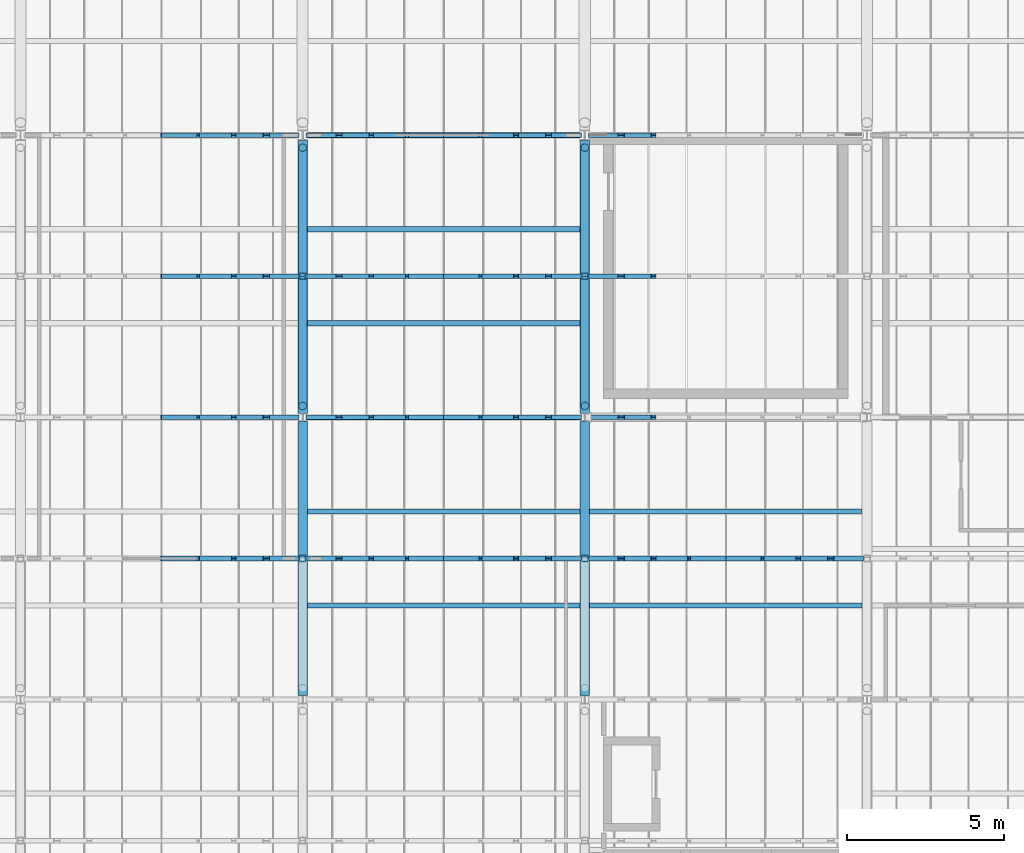
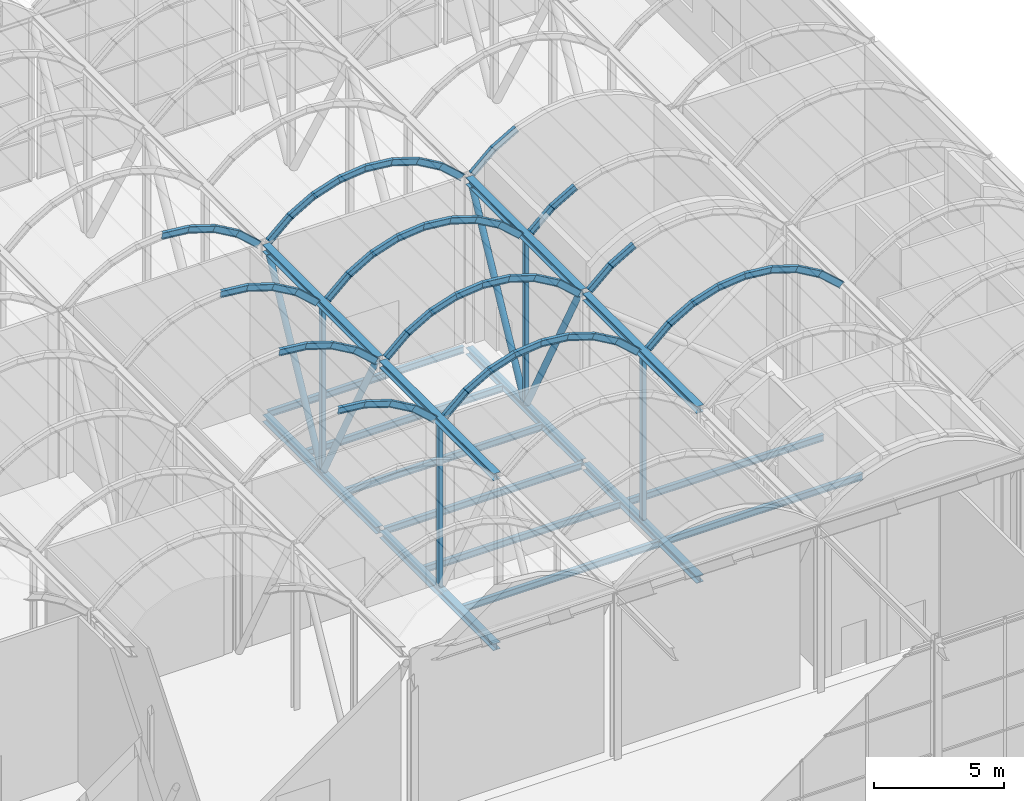
# One storey, part 100 of 144: 70 members, 16 beams.
"""IFC4 building model written with IfcOpenShell, lengths in metres."""

from ifc_helpers import new_model, si_unit, direction, frame, origin, origin_2d, place, context, subcontext, project, spatial, hollow_rectangle, hollow_circle, i_section, extrude, material, material_profile, profile_set, type_object, element, save


model = new_model("IFC4")

# Units and contexts
model_context = context("Model", 3, precision=1e-05, world=origin(), true_north=direction((0.0, 1.0)))
body_context = subcontext(model_context, "Body", "Model", "MODEL_VIEW")
ifc_project = project(units=[si_unit("LENGTHUNIT", "METRE"), si_unit("AREAUNIT", "SQUARE_METRE"), si_unit("VOLUMEUNIT", "CUBIC_METRE"), si_unit("PLANEANGLEUNIT", "RADIAN"), si_unit("MASSUNIT", "GRAM", prefix="KILO")], contexts=[model_context])

# Site, building, storey
site_placement = place(None, origin())
site = spatial("IfcSite", under=ifc_project, at=site_placement, CompositionType="ELEMENT")
building_placement = place(site_placement, origin())
building = spatial("IfcBuilding", under=site, at=building_placement, Name="Shorebreak Coast Museum", CompositionType="ELEMENT")
storey_placement = place(building_placement, frame((0.0, 0.0, 36.0)))
storey = spatial("IfcBuildingStorey", under=building, at=storey_placement, Name="L06", CompositionType="ELEMENT", Elevation=36.0)

# Beams
ifc_material_1 = material(Name="Steel Grade 300", Category="steel")
ifc_material_profile_1 = material_profile(ifc_material_1, i_section(OverallWidth=0.166015625, OverallDepth=0.30712890625, WebThickness=0.006591796875, FlangeThickness=0.01171875, FilletRadius=0.011474609375, at=origin_2d()), Name="310UB46.2")
ifc_profile_set_1 = profile_set([ifc_material_profile_1], Name="Steel Grade 300")
beam_type_1 = type_object("IfcBeamType", Name="Floor girder east-west 310UB46.2", PredefinedType="BEAM", material=ifc_profile_set_1)
beam_1_placement = place(storey_placement, frame((90.126953125, 108.0, -0.32861328125), z_axis=(1.0, 0.0, 0.0), x_axis=(0.0, 1.0, 0.0)))
element("IfcBeam", 1, at=beam_1_placement, inside=storey, type_object=beam_type_1, Name="Floor girder east-west L06 11N", PredefinedType="BEAM", context=body_context, shape_type="SweptSolid", body=[
    extrude(i_section(OverallWidth=0.166015625, OverallDepth=0.30712890625, WebThickness=0.006591796875, FlangeThickness=0.01171875, FilletRadius=0.011474609375, at=origin_2d()), origin(), (0.0, 0.0, 1.0), 8.74609375),
])
beam_2_placement = place(storey_placement, frame((90.155517578125, 117.0, -0.32861328125), z_axis=(1.0, 0.0, 0.0), x_axis=(0.0, 1.0, 0.0)))
element("IfcBeam", 2, at=beam_2_placement, inside=storey, type_object=beam_type_1, Name="Floor girder east-west L06 11P", PredefinedType="BEAM", context=body_context, shape_type="SweptSolid", body=[
    extrude(i_section(OverallWidth=0.166015625, OverallDepth=0.30712890625, WebThickness=0.006591796875, FlangeThickness=0.01171875, FilletRadius=0.011474609375, at=origin_2d()), origin(), (0.0, 0.0, 1.0), 8.68896484375),
])
ifc_material_2 = material(Name="Steel Grade 300", Category="steel")
ifc_material_profile_2 = material_profile(ifc_material_2, i_section(OverallWidth=0.1650390625, OverallDepth=0.303955078125, WebThickness=0.006103515625, FlangeThickness=0.01025390625, FilletRadius=0.011474609375, at=origin_2d()), Name="310UB40.4")
ifc_profile_set_2 = profile_set([ifc_material_profile_2], Name="Steel Grade 300")
beam_type_2 = type_object("IfcBeamType", Name="Floor joist 310UB40.4", PredefinedType="JOIST", material=ifc_profile_set_2)
for number, where, z_axis, x_axis, name in (
    (3, (90.155517578125, 102.0, -0.326904296875), (1.0, 0.0, 0.0), (0.0, 1.0, 0.0), "Floor joist L06 bay 11M at 3000 mm"),
    (4, (90.155517578125, 105.0, -0.326904296875), (1.0, 0.0, 0.0), (0.0, 1.0, 0.0), "Floor joist L06 bay 11M at 6000 mm"),
    (5, (99.155517578125, 102.0, -0.326904296875), (1.0, 0.0, 0.0), (0.0, 1.0, 0.0), "Floor joist L06 bay 12M at 3000 mm"),
    (6, (99.155517578125, 105.0, -0.326904296875), (1.0, 0.0, 0.0), (0.0, 1.0, 0.0), "Floor joist L06 bay 12M at 6000 mm"),
    (7, (90.155517578125, 111.0, -0.326904296875), (1.0, 0.0, 0.0), (0.0, 1.0, 0.0), "Floor joist L06 bay 11N at 3000 mm"),
    (8, (90.155517578125, 114.0, -0.326904296875), (1.0, 0.0, 0.0), (0.0, 1.0, 0.0), "Floor joist L06 bay 11N at 6000 mm"),
):
    element("IfcBeam", number, at=place(storey_placement, frame(where, z_axis=z_axis, x_axis=x_axis)), inside=storey, type_object=beam_type_2, Name=name, PredefinedType="JOIST", context=body_context, shape_type="SweptSolid", body=[
        extrude(i_section(OverallWidth=0.1650390625, OverallDepth=0.303955078125, WebThickness=0.006103515625, FlangeThickness=0.01025390625, FilletRadius=0.011474609375, at=origin_2d()), origin(), (0.0, 0.0, 1.0), 8.68896484375),
    ])
ifc_material_3 = material(Name="Steel Grade 300", Category="steel")
ifc_material_profile_3 = material_profile(ifc_material_3, i_section(OverallWidth=0.30908203125, OverallDepth=0.320556640625, WebThickness=0.013916015625, FlangeThickness=0.021728515625, FilletRadius=0.0166015625, at=origin_2d()), Name="310UC137")
ifc_profile_set_3 = profile_set([ifc_material_profile_3], Name="Steel Grade 300")
beam_type_3 = type_object("IfcBeamType", Name="Transfer truss chord 310UC137", PredefinedType="BEAM", material=ifc_profile_set_3)
beam_3_placement = place(storey_placement, frame((90.0, 99.126953125, -0.335205078125), z_axis=(0.0, 1.0, 0.0), x_axis=(-1.0, 0.0, 0.0)))
element("IfcBeam", 9, at=beam_3_placement, inside=storey, type_object=beam_type_3, Name="Transfer truss TR5 chord C06", PredefinedType="BEAM", context=body_context, shape_type="SweptSolid", body=[
    extrude(i_section(OverallWidth=0.30908203125, OverallDepth=0.320556640625, WebThickness=0.013916015625, FlangeThickness=0.021728515625, FilletRadius=0.0166015625, at=origin_2d()), origin(), (0.0, 0.0, 1.0), 8.74609375),
])
beam_4_placement = place(storey_placement, frame((90.0, 108.126953125, -0.335205078125), z_axis=(0.0, 1.0, 0.0), x_axis=(-1.0, 0.0, 0.0)))
element("IfcBeam", 10, at=beam_4_placement, inside=storey, type_object=beam_type_3, Name="Transfer truss TR5 chord C07", PredefinedType="BEAM", context=body_context, shape_type="SweptSolid", body=[
    extrude(i_section(OverallWidth=0.30908203125, OverallDepth=0.320556640625, WebThickness=0.013916015625, FlangeThickness=0.021728515625, FilletRadius=0.0166015625, at=origin_2d()), origin(), (0.0, 0.0, 1.0), 8.70947265625),
])
beam_5_placement = place(storey_placement, frame((99.0, 99.126953125, -0.335205078125), z_axis=(0.0, 1.0, 0.0), x_axis=(-1.0, 0.0, 0.0)))
element("IfcBeam", 11, at=beam_5_placement, inside=storey, type_object=beam_type_3, Name="Transfer truss TR6 chord C06", PredefinedType="BEAM", context=body_context, shape_type="SweptSolid", body=[
    extrude(i_section(OverallWidth=0.30908203125, OverallDepth=0.320556640625, WebThickness=0.013916015625, FlangeThickness=0.021728515625, FilletRadius=0.0166015625, at=origin_2d()), origin(), (0.0, 0.0, 1.0), 8.74609375),
])
beam_6_placement = place(storey_placement, frame((99.0, 108.126953125, -0.335205078125), z_axis=(0.0, 1.0, 0.0), x_axis=(-1.0, 0.0, 0.0)))
element("IfcBeam", 12, at=beam_6_placement, inside=storey, type_object=beam_type_3, Name="Transfer truss TR6 chord C07", PredefinedType="BEAM", context=body_context, shape_type="SweptSolid", body=[
    extrude(i_section(OverallWidth=0.30908203125, OverallDepth=0.320556640625, WebThickness=0.013916015625, FlangeThickness=0.021728515625, FilletRadius=0.0166015625, at=origin_2d()), origin(), (0.0, 0.0, 1.0), 8.70947265625),
])
ifc_material_4 = material(Name="Steel Grade 300", Category="steel")
ifc_material_profile_4 = material_profile(ifc_material_4, i_section(OverallWidth=0.31103515625, OverallDepth=0.3271484375, WebThickness=0.015625, FlangeThickness=0.02490234375, FilletRadius=0.0166015625, at=origin_2d()), Name="310UC158")
ifc_profile_set_4 = profile_set([ifc_material_profile_4], Name="Steel Grade 300")
beam_type_4 = type_object("IfcBeamType", Name="Transfer truss chord 310UC158", PredefinedType="BEAM", material=ifc_profile_set_4)
beam_7_placement = place(storey_placement, frame((90.0, 99.126953125, 7.621337890625), z_axis=(0.0, 1.0, 0.0), x_axis=(-1.0, 0.0, 0.0)))
element("IfcBeam", 13, at=beam_7_placement, inside=storey, type_object=beam_type_4, Name="Transfer truss TR5 chord C10", PredefinedType="BEAM", context=body_context, shape_type="SweptSolid", body=[
    extrude(i_section(OverallWidth=0.31103515625, OverallDepth=0.3271484375, WebThickness=0.015625, FlangeThickness=0.02490234375, FilletRadius=0.0166015625, at=origin_2d()), origin(), (0.0, 0.0, 1.0), 8.74609375),
])
beam_8_placement = place(storey_placement, frame((90.0, 108.126953125, 7.621337890625), z_axis=(0.0, 1.0, 0.0), x_axis=(-1.0, 0.0, 0.0)))
element("IfcBeam", 14, at=beam_8_placement, inside=storey, type_object=beam_type_4, Name="Transfer truss TR5 chord C11", PredefinedType="BEAM", context=body_context, shape_type="SweptSolid", body=[
    extrude(i_section(OverallWidth=0.31103515625, OverallDepth=0.3271484375, WebThickness=0.015625, FlangeThickness=0.02490234375, FilletRadius=0.0166015625, at=origin_2d()), origin(), (0.0, 0.0, 1.0), 8.70947265625),
])
beam_9_placement = place(storey_placement, frame((99.0, 99.126953125, 7.621337890625), z_axis=(0.0, 1.0, 0.0), x_axis=(-1.0, 0.0, 0.0)))
element("IfcBeam", 15, at=beam_9_placement, inside=storey, type_object=beam_type_4, Name="Transfer truss TR6 chord C10", PredefinedType="BEAM", context=body_context, shape_type="SweptSolid", body=[
    extrude(i_section(OverallWidth=0.31103515625, OverallDepth=0.3271484375, WebThickness=0.015625, FlangeThickness=0.02490234375, FilletRadius=0.0166015625, at=origin_2d()), origin(), (0.0, 0.0, 1.0), 8.74609375),
])
beam_10_placement = place(storey_placement, frame((99.0, 108.126953125, 7.621337890625), z_axis=(0.0, 1.0, 0.0), x_axis=(-1.0, 0.0, 0.0)))
element("IfcBeam", 16, at=beam_10_placement, inside=storey, type_object=beam_type_4, Name="Transfer truss TR6 chord C11", PredefinedType="BEAM", context=body_context, shape_type="SweptSolid", body=[
    extrude(i_section(OverallWidth=0.31103515625, OverallDepth=0.3271484375, WebThickness=0.015625, FlangeThickness=0.02490234375, FilletRadius=0.0166015625, at=origin_2d()), origin(), (0.0, 0.0, 1.0), 8.70947265625),
])

# Members
ifc_material_5 = material(Name="Steel Grade C350L0", Category="steel")
ifc_material_profile_5 = material_profile(ifc_material_5, hollow_circle(Radius=0.136474609375, WallThickness=0.00927734375, at=origin_2d()), Name="273.1x9.3 CHS")
ifc_profile_set_5 = profile_set([ifc_material_profile_5], Name="Steel Grade C350L0")
member_type_1 = type_object("IfcMemberType", Name="Transfer truss diagonal 273.1x9.3 CHS", PredefinedType="BRACE", material=ifc_profile_set_5)
member_1_placement = place(storey_placement, frame((90.0, 112.414794921875, -0.175048828125), z_axis=(0.0, -0.468802638879, 0.883302941114), x_axis=(1.0, 0.0, 0.0)))
element("IfcMember", 17, at=member_1_placement, inside=storey, type_object=member_type_1, Name="Transfer truss TR5 diagonal D13", PredefinedType="BRACE", context=body_context, shape_type="SweptSolid", body=[
    extrude(hollow_circle(Radius=0.136474609375, WallThickness=0.00927734375, at=origin_2d()), origin(), (0.0, 0.0, 1.0), 8.64111328125),
])
member_2_placement = place(storey_placement, frame((90.0, 112.584228515625, -0.175048828125), z_axis=(0.0, 0.465641431585, 0.884973478242), x_axis=(-1.0, 0.0, 0.0)))
element("IfcMember", 18, at=member_2_placement, inside=storey, type_object=member_type_1, Name="Transfer truss TR5 diagonal D14", PredefinedType="BRACE", context=body_context, shape_type="SweptSolid", body=[
    extrude(hollow_circle(Radius=0.136474609375, WallThickness=0.00927734375, at=origin_2d()), origin(), (0.0, 0.0, 1.0), 8.625),
])
member_3_placement = place(storey_placement, frame((99.0, 112.414794921875, -0.175048828125), z_axis=(0.0, -0.468802638879, 0.883302941114), x_axis=(1.0, 0.0, 0.0)))
element("IfcMember", 19, at=member_3_placement, inside=storey, type_object=member_type_1, Name="Transfer truss TR6 diagonal D13", PredefinedType="BRACE", context=body_context, shape_type="SweptSolid", body=[
    extrude(hollow_circle(Radius=0.136474609375, WallThickness=0.00927734375, at=origin_2d()), origin(), (0.0, 0.0, 1.0), 8.64111328125),
])
member_4_placement = place(storey_placement, frame((99.0, 112.584228515625, -0.175048828125), z_axis=(0.0, 0.465641431585, 0.884973478242), x_axis=(-1.0, 0.0, 0.0)))
element("IfcMember", 20, at=member_4_placement, inside=storey, type_object=member_type_1, Name="Transfer truss TR6 diagonal D14", PredefinedType="BRACE", context=body_context, shape_type="SweptSolid", body=[
    extrude(hollow_circle(Radius=0.136474609375, WallThickness=0.00927734375, at=origin_2d()), origin(), (0.0, 0.0, 1.0), 8.625),
])
ifc_material_6 = material(Name="Steel Grade C450L0", Category="steel")
ifc_material_profile_6 = material_profile(ifc_material_6, hollow_rectangle(XDim=0.199951171875, YDim=0.199951171875, WallThickness=0.009033203125, InnerFilletRadius=0.013427734375, OuterFilletRadius=0.0224609375, at=origin_2d()), Name="200x200x9.0 SHS")
ifc_profile_set_6 = profile_set([ifc_material_profile_6], Name="Steel Grade C450L0")
member_type_2 = type_object("IfcMemberType", Name="Transfer truss strut 200x200x9.0 SHS", PredefinedType="STRUT", material=ifc_profile_set_6)
for number, where, z_axis, x_axis, name in (
    (21, (90.0, 103.5, -0.175048828125), (0.0, 0.0, 1.0), (1.0, 0.0, 0.0), "Transfer truss TR5 strut V09"),
    (22, (90.0, 112.5, -0.175048828125), (0.0, 0.0, 1.0), (1.0, 0.0, 0.0), "Transfer truss TR5 strut V10"),
    (23, (99.0, 103.5, -0.175048828125), (0.0, 0.0, 1.0), (1.0, 0.0, 0.0), "Transfer truss TR6 strut V09"),
    (24, (99.0, 112.5, -0.175048828125), (0.0, 0.0, 1.0), (1.0, 0.0, 0.0), "Transfer truss TR6 strut V10"),
):
    element("IfcMember", number, at=place(storey_placement, frame(where, z_axis=z_axis, x_axis=x_axis)), inside=storey, type_object=member_type_2, Name=name, PredefinedType="STRUT", context=body_context, shape_type="SweptSolid", body=[
        extrude(hollow_rectangle(XDim=0.199951171875, YDim=0.199951171875, WallThickness=0.009033203125, InnerFilletRadius=0.013427734375, OuterFilletRadius=0.0224609375, at=origin_2d()), origin(), (0.0, 0.0, 1.0), 7.6328125),
    ])
ifc_material_7 = material(Name="Steel Grade 300", Category="steel")
ifc_material_profile_7 = material_profile(ifc_material_7, i_section(OverallWidth=0.14892578125, OverallDepth=0.298095703125, WebThickness=0.005615234375, FlangeThickness=0.008056640625, FilletRadius=0.012939453125, at=origin_2d()), Name="310UB32.0")
ifc_profile_set_7 = profile_set([ifc_material_profile_7], Name="Steel Grade 300")
member_type_3 = type_object("IfcMemberType", Name="Vault arch rib 310UB32.0", PredefinedType="RAFTER", material=ifc_profile_set_7)
for number, where, z_axis, x_axis, name in (
    (25, (85.484375, 103.5, 9.650634765625), (0.994539296345, 0.0, -0.104362771266), (0.0, 1.0, 0.0), "Vault arch rib V4 line 03 facet 5"),
    (26, (85.484375, 108.0, 9.650634765625), (0.994539296345, 0.0, -0.104362771266), (0.0, 1.0, 0.0), "Vault arch rib V4 line 04 facet 5"),
    (27, (85.484375, 112.5, 9.650634765625), (0.994539296345, 0.0, -0.104362771266), (0.0, 1.0, 0.0), "Vault arch rib V4 line 05 facet 5"),
    (28, (85.484375, 117.0, 9.650634765625), (0.994539296345, 0.0, -0.104362771266), (0.0, 1.0, 0.0), "Vault arch rib V4 line 06 facet 5"),
    (29, (86.6708984375, 103.5, 9.529541015625), (0.951225984169, 0.0, -0.308494938436), (0.0, 1.0, 0.0), "Vault arch rib V4 line 03 facet 6"),
    (30, (86.6708984375, 108.0, 9.529541015625), (0.951225984169, 0.0, -0.308494938436), (0.0, 1.0, 0.0), "Vault arch rib V4 line 04 facet 6"),
    (31, (86.6708984375, 112.5, 9.529541015625), (0.951225984169, 0.0, -0.308494938436), (0.0, 1.0, 0.0), "Vault arch rib V4 line 05 facet 6"),
    (32, (86.6708984375, 117.0, 9.529541015625), (0.951225984169, 0.0, -0.308494938436), (0.0, 1.0, 0.0), "Vault arch rib V4 line 06 facet 6"),
    (33, (87.80615234375, 103.5, 9.16455078125), (0.866444596228, 0.0, -0.499273233478), (0.0, 1.0, 0.0), "Vault arch rib V4 line 03 facet 7"),
    (34, (87.80615234375, 108.0, 9.16455078125), (0.866444596228, 0.0, -0.499273233478), (0.0, 1.0, 0.0), "Vault arch rib V4 line 04 facet 7"),
    (35, (87.80615234375, 112.5, 9.16455078125), (0.866444596228, 0.0, -0.499273233478), (0.0, 1.0, 0.0), "Vault arch rib V4 line 05 facet 7"),
    (36, (87.80615234375, 117.0, 9.16455078125), (0.866444596228, 0.0, -0.499273233478), (0.0, 1.0, 0.0), "Vault arch rib V4 line 06 facet 7"),
):
    element("IfcMember", number, at=place(storey_placement, frame(where, z_axis=z_axis, x_axis=x_axis)), inside=storey, type_object=member_type_3, Name=name, PredefinedType="RAFTER", context=body_context, shape_type="SweptSolid", body=[
        extrude(i_section(OverallWidth=0.14892578125, OverallDepth=0.298095703125, WebThickness=0.005615234375, FlangeThickness=0.008056640625, FilletRadius=0.012939453125, at=origin_2d()), origin(), (0.0, 0.0, 1.0), 1.223388671875),
    ])
for number, where, z_axis, x_axis, name in (
    (37, (88.841064453125, 103.5, 8.572021484375), (0.743894909598, 0.0, -0.668296613394), (0.0, 1.0, 0.0), "Vault arch rib V4 line 03 facet 8"),
    (38, (88.841064453125, 108.0, 8.572021484375), (0.743894909598, 0.0, -0.668296613394), (0.0, 1.0, 0.0), "Vault arch rib V4 line 04 facet 8"),
    (39, (88.841064453125, 112.5, 8.572021484375), (0.743894909598, 0.0, -0.668296613394), (0.0, 1.0, 0.0), "Vault arch rib V4 line 05 facet 8"),
    (40, (88.841064453125, 117.0, 8.572021484375), (0.743894909598, 0.0, -0.668296613394), (0.0, 1.0, 0.0), "Vault arch rib V4 line 06 facet 8"),
    (41, (90.21240234375, 103.5, 7.7216796875), (0.743894909598, 0.0, 0.668296613394), (0.0, 1.0, 0.0), "Vault arch rib V5 line 03 facet 1"),
    (42, (90.21240234375, 108.0, 7.7216796875), (0.743894909598, 0.0, 0.668296613394), (0.0, 1.0, 0.0), "Vault arch rib V5 line 04 facet 1"),
    (43, (90.21240234375, 112.5, 7.7216796875), (0.743894909598, 0.0, 0.668296613394), (0.0, 1.0, 0.0), "Vault arch rib V5 line 05 facet 1"),
    (44, (90.21240234375, 117.0, 7.7216796875), (0.743894909598, 0.0, 0.668296613394), (0.0, 1.0, 0.0), "Vault arch rib V5 line 06 facet 1"),
):
    element("IfcMember", number, at=place(storey_placement, frame(where, z_axis=z_axis, x_axis=x_axis)), inside=storey, type_object=member_type_3, Name=name, PredefinedType="RAFTER", context=body_context, shape_type="SweptSolid", body=[
        extrude(i_section(OverallWidth=0.14892578125, OverallDepth=0.298095703125, WebThickness=0.005615234375, FlangeThickness=0.008056640625, FilletRadius=0.012939453125, at=origin_2d()), origin(), (0.0, 0.0, 1.0), 1.2724609375),
    ])
for number, where, z_axis, x_axis, name in (
    (45, (91.1337890625, 103.5, 8.5537109375), (0.866444596228, 0.0, 0.499273233478), (0.0, 1.0, 0.0), "Vault arch rib V5 line 03 facet 2"),
    (46, (91.1337890625, 108.0, 8.5537109375), (0.866444596228, 0.0, 0.499273233478), (0.0, 1.0, 0.0), "Vault arch rib V5 line 04 facet 2"),
    (47, (91.1337890625, 112.5, 8.5537109375), (0.866444596228, 0.0, 0.499273233478), (0.0, 1.0, 0.0), "Vault arch rib V5 line 05 facet 2"),
    (48, (91.1337890625, 117.0, 8.5537109375), (0.866444596228, 0.0, 0.499273233478), (0.0, 1.0, 0.0), "Vault arch rib V5 line 06 facet 2"),
    (49, (92.165283203125, 103.5, 9.152099609375), (0.951225984169, 0.0, 0.308494938436), (0.0, 1.0, 0.0), "Vault arch rib V5 line 03 facet 3"),
    (50, (92.165283203125, 108.0, 9.152099609375), (0.951225984169, 0.0, 0.308494938436), (0.0, 1.0, 0.0), "Vault arch rib V5 line 04 facet 3"),
    (51, (92.165283203125, 112.5, 9.152099609375), (0.951225984169, 0.0, 0.308494938436), (0.0, 1.0, 0.0), "Vault arch rib V5 line 05 facet 3"),
    (52, (92.165283203125, 117.0, 9.152099609375), (0.951225984169, 0.0, 0.308494938436), (0.0, 1.0, 0.0), "Vault arch rib V5 line 06 facet 3"),
    (53, (93.298828125, 103.5, 9.52294921875), (0.994539296345, 0.0, 0.104362771266), (0.0, 1.0, 0.0), "Vault arch rib V5 line 03 facet 4"),
    (54, (93.298828125, 108.0, 9.52294921875), (0.994539296345, 0.0, 0.104362771266), (0.0, 1.0, 0.0), "Vault arch rib V5 line 04 facet 4"),
    (55, (93.298828125, 112.5, 9.52294921875), (0.994539296345, 0.0, 0.104362771266), (0.0, 1.0, 0.0), "Vault arch rib V5 line 05 facet 4"),
    (56, (93.298828125, 117.0, 9.52294921875), (0.994539296345, 0.0, 0.104362771266), (0.0, 1.0, 0.0), "Vault arch rib V5 line 06 facet 4"),
    (57, (94.484375, 103.5, 9.650634765625), (0.994539296345, 0.0, -0.104362771266), (0.0, 1.0, 0.0), "Vault arch rib V5 line 03 facet 5"),
    (58, (94.484375, 108.0, 9.650634765625), (0.994539296345, 0.0, -0.104362771266), (0.0, 1.0, 0.0), "Vault arch rib V5 line 04 facet 5"),
    (59, (94.484375, 112.5, 9.650634765625), (0.994539296345, 0.0, -0.104362771266), (0.0, 1.0, 0.0), "Vault arch rib V5 line 05 facet 5"),
    (60, (94.484375, 117.0, 9.650634765625), (0.994539296345, 0.0, -0.104362771266), (0.0, 1.0, 0.0), "Vault arch rib V5 line 06 facet 5"),
    (61, (95.6708984375, 103.5, 9.529541015625), (0.951225984169, 0.0, -0.308494938436), (0.0, 1.0, 0.0), "Vault arch rib V5 line 03 facet 6"),
    (62, (95.6708984375, 108.0, 9.529541015625), (0.951225984169, 0.0, -0.308494938436), (0.0, 1.0, 0.0), "Vault arch rib V5 line 04 facet 6"),
    (63, (95.6708984375, 112.5, 9.529541015625), (0.951225984169, 0.0, -0.308494938436), (0.0, 1.0, 0.0), "Vault arch rib V5 line 05 facet 6"),
    (64, (95.6708984375, 117.0, 9.529541015625), (0.951225984169, 0.0, -0.308494938436), (0.0, 1.0, 0.0), "Vault arch rib V5 line 06 facet 6"),
    (65, (96.80615234375, 103.5, 9.16455078125), (0.866444596228, 0.0, -0.499273233478), (0.0, 1.0, 0.0), "Vault arch rib V5 line 03 facet 7"),
    (66, (96.80615234375, 108.0, 9.16455078125), (0.866444596228, 0.0, -0.499273233478), (0.0, 1.0, 0.0), "Vault arch rib V5 line 04 facet 7"),
    (67, (96.80615234375, 112.5, 9.16455078125), (0.866444596228, 0.0, -0.499273233478), (0.0, 1.0, 0.0), "Vault arch rib V5 line 05 facet 7"),
    (68, (96.80615234375, 117.0, 9.16455078125), (0.866444596228, 0.0, -0.499273233478), (0.0, 1.0, 0.0), "Vault arch rib V5 line 06 facet 7"),
):
    element("IfcMember", number, at=place(storey_placement, frame(where, z_axis=z_axis, x_axis=x_axis)), inside=storey, type_object=member_type_3, Name=name, PredefinedType="RAFTER", context=body_context, shape_type="SweptSolid", body=[
        extrude(i_section(OverallWidth=0.14892578125, OverallDepth=0.298095703125, WebThickness=0.005615234375, FlangeThickness=0.008056640625, FilletRadius=0.012939453125, at=origin_2d()), origin(), (0.0, 0.0, 1.0), 1.223388671875),
    ])
for number, where, z_axis, x_axis, name in (
    (69, (97.841064453125, 103.5, 8.572021484375), (0.743894909598, 0.0, -0.668296613394), (0.0, 1.0, 0.0), "Vault arch rib V5 line 03 facet 8"),
    (70, (97.841064453125, 108.0, 8.572021484375), (0.743894909598, 0.0, -0.668296613394), (0.0, 1.0, 0.0), "Vault arch rib V5 line 04 facet 8"),
    (71, (97.841064453125, 112.5, 8.572021484375), (0.743894909598, 0.0, -0.668296613394), (0.0, 1.0, 0.0), "Vault arch rib V5 line 05 facet 8"),
    (72, (97.841064453125, 117.0, 8.572021484375), (0.743894909598, 0.0, -0.668296613394), (0.0, 1.0, 0.0), "Vault arch rib V5 line 06 facet 8"),
    (73, (99.21240234375, 103.5, 7.7216796875), (0.743894909598, 0.0, 0.668296613394), (0.0, 1.0, 0.0), "Vault arch rib V6 line 03 facet 1"),
    (74, (99.21240234375, 108.0, 7.7216796875), (0.743894909598, 0.0, 0.668296613394), (0.0, 1.0, 0.0), "Vault arch rib V6 line 04 facet 1"),
    (75, (99.21240234375, 112.5, 7.7216796875), (0.743894909598, 0.0, 0.668296613394), (0.0, 1.0, 0.0), "Vault arch rib V6 line 05 facet 1"),
    (76, (99.21240234375, 117.0, 7.7216796875), (0.743894909598, 0.0, 0.668296613394), (0.0, 1.0, 0.0), "Vault arch rib V6 line 06 facet 1"),
):
    element("IfcMember", number, at=place(storey_placement, frame(where, z_axis=z_axis, x_axis=x_axis)), inside=storey, type_object=member_type_3, Name=name, PredefinedType="RAFTER", context=body_context, shape_type="SweptSolid", body=[
        extrude(i_section(OverallWidth=0.14892578125, OverallDepth=0.298095703125, WebThickness=0.005615234375, FlangeThickness=0.008056640625, FilletRadius=0.012939453125, at=origin_2d()), origin(), (0.0, 0.0, 1.0), 1.2724609375),
    ])
for number, where, z_axis, x_axis, name in (
    (77, (100.1337890625, 103.5, 8.5537109375), (0.866444596228, 0.0, 0.499273233478), (0.0, 1.0, 0.0), "Vault arch rib V6 line 03 facet 2"),
    (78, (100.1337890625, 108.0, 8.5537109375), (0.866444596228, 0.0, 0.499273233478), (0.0, 1.0, 0.0), "Vault arch rib V6 line 04 facet 2"),
    (79, (100.1337890625, 112.5, 8.5537109375), (0.866444596228, 0.0, 0.499273233478), (0.0, 1.0, 0.0), "Vault arch rib V6 line 05 facet 2"),
    (80, (100.1337890625, 117.0, 8.5537109375), (0.866444596228, 0.0, 0.499273233478), (0.0, 1.0, 0.0), "Vault arch rib V6 line 06 facet 2"),
    (81, (101.165283203125, 103.5, 9.152099609375), (0.951225984169, 0.0, 0.308494938436), (0.0, 1.0, 0.0), "Vault arch rib V6 line 03 facet 3"),
    (82, (102.298828125, 103.5, 9.52294921875), (0.994539296345, 0.0, 0.104362771266), (0.0, 1.0, 0.0), "Vault arch rib V6 line 03 facet 4"),
    (83, (103.484375, 103.5, 9.650634765625), (0.994539296345, 0.0, -0.104362771266), (0.0, 1.0, 0.0), "Vault arch rib V6 line 03 facet 5"),
    (84, (104.6708984375, 103.5, 9.529541015625), (0.951225984169, 0.0, -0.308494938436), (0.0, 1.0, 0.0), "Vault arch rib V6 line 03 facet 6"),
    (85, (105.80615234375, 103.5, 9.16455078125), (0.866444596228, 0.0, -0.499273233478), (0.0, 1.0, 0.0), "Vault arch rib V6 line 03 facet 7"),
):
    element("IfcMember", number, at=place(storey_placement, frame(where, z_axis=z_axis, x_axis=x_axis)), inside=storey, type_object=member_type_3, Name=name, PredefinedType="RAFTER", context=body_context, shape_type="SweptSolid", body=[
        extrude(i_section(OverallWidth=0.14892578125, OverallDepth=0.298095703125, WebThickness=0.005615234375, FlangeThickness=0.008056640625, FilletRadius=0.012939453125, at=origin_2d()), origin(), (0.0, 0.0, 1.0), 1.223388671875),
    ])
member_5_placement = place(storey_placement, frame((106.841064453125, 103.5, 8.572021484375), z_axis=(0.743894909598, 0.0, -0.668296613394), x_axis=(0.0, 1.0, 0.0)))
element("IfcMember", 86, at=member_5_placement, inside=storey, type_object=member_type_3, Name="Vault arch rib V6 line 03 facet 8", PredefinedType="RAFTER", context=body_context, shape_type="SweptSolid", body=[
    extrude(i_section(OverallWidth=0.14892578125, OverallDepth=0.298095703125, WebThickness=0.005615234375, FlangeThickness=0.008056640625, FilletRadius=0.012939453125, at=origin_2d()), origin(), (0.0, 0.0, 1.0), 1.2724609375),
])

save(model, "model.ifc")
